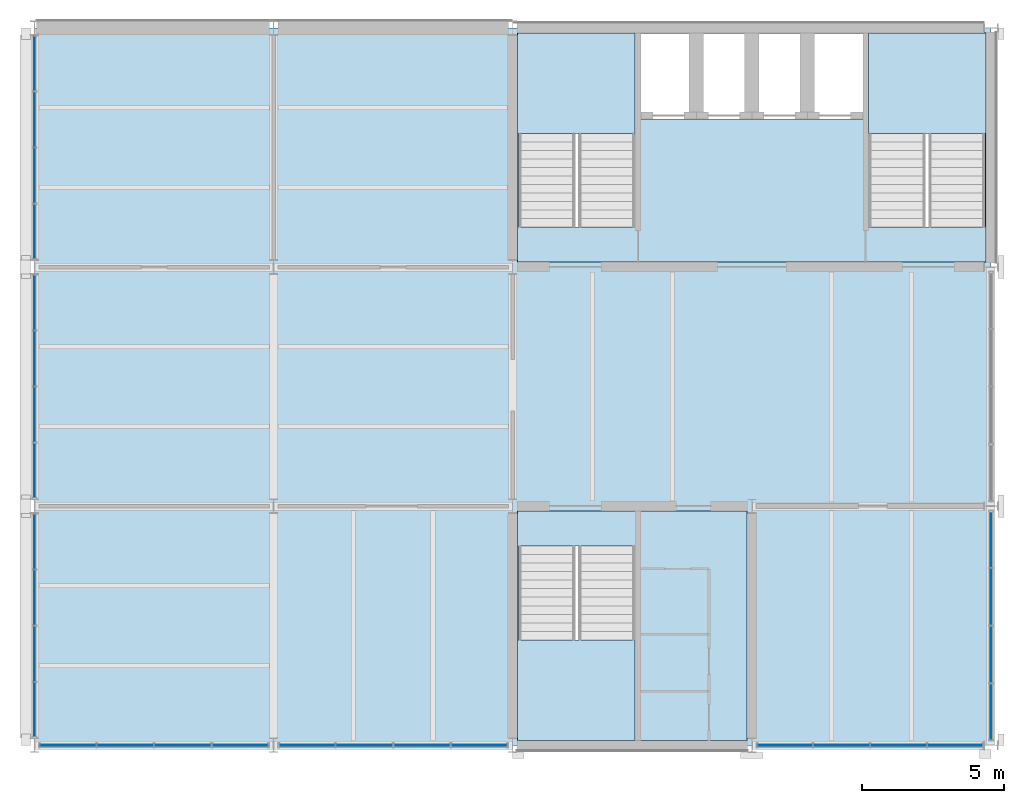
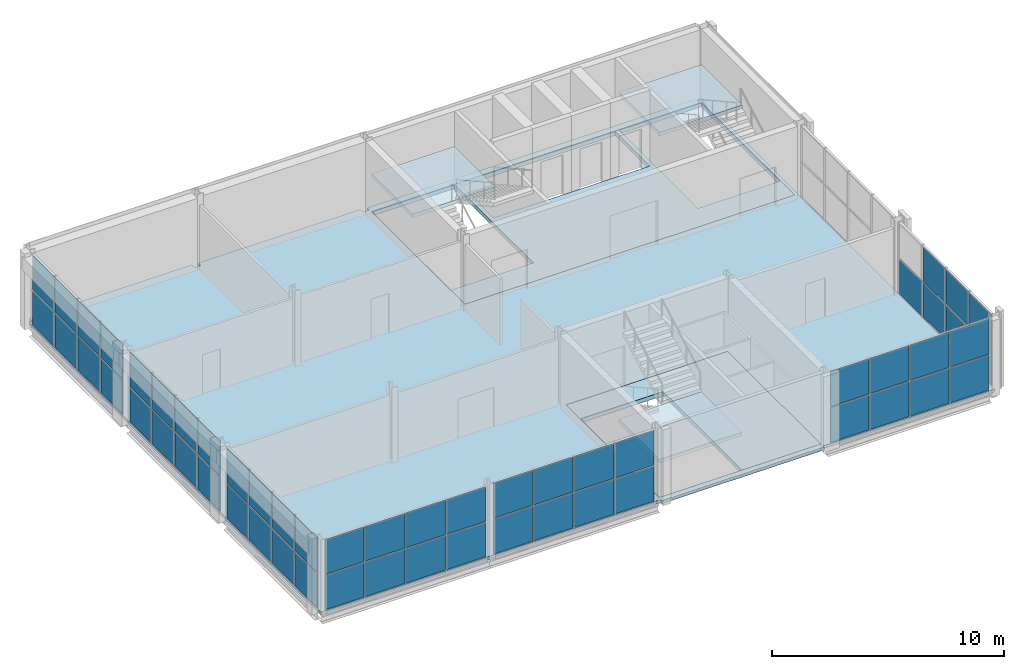
# One storey, part 7 of 12: 55 plates, 6 slabs, 10 elements without a shape of their own.
"""IFC4 building model written with IfcOpenShell, lengths in metres."""

from ifc_helpers import new_model, si_unit, direction, frame, origin, origin_2d, place, context, subcontext, project, spatial, polyline, rectangle, outline, extrude, material, layer, layer_set, type_object, element, aggregate, save


model = new_model("IFC4")

# Units and contexts
model_context = context("Model", 3, precision=1e-05, world=origin(), true_north=direction((0.0, 1.0)))
body_context = subcontext(model_context, "Body", "Model", "MODEL_VIEW")
ifc_project = project(units=[si_unit("LENGTHUNIT", "METRE"), si_unit("AREAUNIT", "SQUARE_METRE"), si_unit("VOLUMEUNIT", "CUBIC_METRE"), si_unit("PLANEANGLEUNIT", "RADIAN"), si_unit("MASSUNIT", "GRAM", prefix="KILO")], contexts=[model_context])

# Site, building, storey
site_placement = place(None, origin())
site = spatial("IfcSite", under=ifc_project, at=site_placement, CompositionType="ELEMENT")
building_placement = place(site_placement, origin())
building = spatial("IfcBuilding", under=site, at=building_placement, Name="Galleria Vessillo Department Store", CompositionType="ELEMENT")
storey_placement = place(building_placement, frame((0.0, 0.0, 43.60009765625)))
storey = spatial("IfcBuildingStorey", under=building, at=storey_placement, Name="L09", CompositionType="ELEMENT", Elevation=43.60009765625)

# Slab
ifc_material_1 = material(Name="Concrete C32/40 composite on steel deck", Category="concrete")
ifc_layer_1 = layer(ifc_material_1, 0.14990234375)
ifc_layer_set_1 = layer_set([ifc_layer_1], Name="Concrete C32/40 composite on steel deck")
slab_type_1 = type_object("IfcSlabType", Name="Composite floor slab 150 mm", PredefinedType="FLOOR", material=ifc_layer_set_1)
slab_1_placement = place(storey_placement, frame((0.0, 0.0, -0.14990234375)))
element("IfcSlab", 1, at=slab_1_placement, inside=storey, type_object=slab_type_1, Name="S-SLAB-L09-FLOOR", PredefinedType="FLOOR", context=body_context, shape_type="SweptSolid", body=[
    extrude(outline(polyline([(84.0, 37.800048828125), (84.0, 63.0), (84.150634765625, 63.0), (84.150634765625, 63.24951171875), (92.249267578125, 63.24951171875), (92.249267578125, 63.0), (92.550537109375, 63.0), (92.550537109375, 63.22509765625), (100.6494140625, 63.22509765625), (100.6494140625, 63.0), (100.95068359375, 63.0), (100.95068359375, 63.17431640625), (117.349609375, 63.17431640625), (117.349609375, 63.0), (117.60009765625, 63.0), (117.60009765625, 37.800048828125), (109.04931640625, 37.800048828125), (109.04931640625, 37.699951171875), (100.95068359375, 37.699951171875), (100.95068359375, 37.800048828125), (84.0, 37.800048828125)]), holes=[polyline([(109.02490234375, 37.97509765625), (109.02490234375, 46.02490234375), (100.97509765625, 46.02490234375), (100.97509765625, 37.97509765625), (109.02490234375, 37.97509765625)]), polyline([(117.425048828125, 54.775146484375), (117.425048828125, 62.824951171875), (100.97509765625, 62.824951171875), (100.97509765625, 54.775146484375), (117.425048828125, 54.775146484375)])]), origin(), (0.0, 0.0, 1.0), 0.14990234375),
])

# Curtain wall, plates
ifc_material_2 = material(Name="Aluminium and glass curtain wall", Category="aluminium")
ifc_layer_2 = layer(ifc_material_2, 0.159912109375)
ifc_layer_set_2 = layer_set([ifc_layer_2], Name="Aluminium and glass curtain wall")
curtain_wall_type = type_object("IfcCurtainWallType", Name="Tower curtain wall CW4 2100 module", PredefinedType="NOTDEFINED", material=ifc_layer_set_2)
curtain_wall_1_placement = place(storey_placement, origin())
curtain_wall_1 = element("IfcCurtainWall", 2, at=curtain_wall_1_placement, inside=storey, type_object=curtain_wall_type, Name="Tower curtain wall CW4 2100 module TW-L09-01", PredefinedType="NOTDEFINED")
ifc_material_3 = material(Name="Glass laminated 44.2 low-e", Category="glass")
ifc_layer_3 = layer(ifc_material_3, 0.028076171875)
ifc_layer_set_3 = layer_set([ifc_layer_3], Name="Glass laminated 44.2 low-e")
plate_type_1 = type_object("IfcPlateType", Name="Laminated glass panel 28 mm", PredefinedType="CURTAIN_PANEL", material=ifc_layer_set_3)
plate_1_placement = place(storey_placement, frame((84.0, 39.052490234375, 1.929931640625), z_axis=(0.0, 0.0, 1.0), x_axis=(0.0, 1.0, 0.0)))
plate_1 = element("IfcPlate", 3, at=plate_1_placement, type_object=plate_type_1, Name="CW4 panel 1.2", PredefinedType="CURTAIN_PANEL", context=body_context, shape_type="SweptSolid", body=[
    extrude(rectangle(XDim=1.885009765625, YDim=0.028076171875, at=origin_2d()), origin(), (0.0, 0.0, 1.0), 1.81005859375),
])
plate_2_placement = place(storey_placement, frame((84.0, 41.012451171875, 1.929931640625), z_axis=(0.0, 0.0, 1.0), x_axis=(0.0, 1.0, 0.0)))
plate_2 = element("IfcPlate", 4, at=plate_2_placement, type_object=plate_type_1, Name="CW4 panel 2.2", PredefinedType="CURTAIN_PANEL", context=body_context, shape_type="SweptSolid", body=[
    extrude(rectangle(XDim=1.9150390625, YDim=0.028076171875, at=origin_2d()), origin(), (0.0, 0.0, 1.0), 1.81005859375),
])
plate_3_placement = place(storey_placement, frame((84.0, 42.987548828125, 1.929931640625), z_axis=(0.0, 0.0, 1.0), x_axis=(0.0, 1.0, 0.0)))
plate_3 = element("IfcPlate", 5, at=plate_3_placement, type_object=plate_type_1, Name="CW4 panel 3.2", PredefinedType="CURTAIN_PANEL", context=body_context, shape_type="SweptSolid", body=[
    extrude(rectangle(XDim=1.9150390625, YDim=0.028076171875, at=origin_2d()), origin(), (0.0, 0.0, 1.0), 1.81005859375),
])
plate_4_placement = place(storey_placement, frame((84.0, 44.947509765625, 1.929931640625), z_axis=(0.0, 0.0, 1.0), x_axis=(0.0, 1.0, 0.0)))
plate_4 = element("IfcPlate", 6, at=plate_4_placement, type_object=plate_type_1, Name="CW4 panel 4.2", PredefinedType="CURTAIN_PANEL", context=body_context, shape_type="SweptSolid", body=[
    extrude(rectangle(XDim=1.885009765625, YDim=0.028076171875, at=origin_2d()), origin(), (0.0, 0.0, 1.0), 1.81005859375),
])

curtain_wall_2_placement = place(storey_placement, origin())
curtain_wall_2 = element("IfcCurtainWall", 7, at=curtain_wall_2_placement, inside=storey, type_object=curtain_wall_type, Name="Tower curtain wall CW4 2100 module TW-L09-02", PredefinedType="NOTDEFINED")
plate_5_placement = place(storey_placement, frame((84.0, 47.452392578125, 1.929931640625), z_axis=(0.0, 0.0, 1.0), x_axis=(0.0, 1.0, 0.0)))
plate_5 = element("IfcPlate", 8, at=plate_5_placement, type_object=plate_type_1, Name="CW4 panel 1.2", PredefinedType="CURTAIN_PANEL", context=body_context, shape_type="SweptSolid", body=[
    extrude(rectangle(XDim=1.885009765625, YDim=0.028076171875, at=origin_2d()), origin(), (0.0, 0.0, 1.0), 1.81005859375),
])
plate_6_placement = place(storey_placement, frame((84.0, 49.41259765625, 1.929931640625), z_axis=(0.0, 0.0, 1.0), x_axis=(0.0, 1.0, 0.0)))
plate_6 = element("IfcPlate", 9, at=plate_6_placement, type_object=plate_type_1, Name="CW4 panel 2.2", PredefinedType="CURTAIN_PANEL", context=body_context, shape_type="SweptSolid", body=[
    extrude(rectangle(XDim=1.9150390625, YDim=0.028076171875, at=origin_2d()), origin(), (0.0, 0.0, 1.0), 1.81005859375),
])
plate_7_placement = place(storey_placement, frame((84.0, 51.387451171875, 1.929931640625), z_axis=(0.0, 0.0, 1.0), x_axis=(0.0, 1.0, 0.0)))
plate_7 = element("IfcPlate", 10, at=plate_7_placement, type_object=plate_type_1, Name="CW4 panel 3.2", PredefinedType="CURTAIN_PANEL", context=body_context, shape_type="SweptSolid", body=[
    extrude(rectangle(XDim=1.9150390625, YDim=0.028076171875, at=origin_2d()), origin(), (0.0, 0.0, 1.0), 1.81005859375),
])
plate_8_placement = place(storey_placement, frame((84.0, 53.34765625, 1.929931640625), z_axis=(0.0, 0.0, 1.0), x_axis=(0.0, 1.0, 0.0)))
plate_8 = element("IfcPlate", 11, at=plate_8_placement, type_object=plate_type_1, Name="CW4 panel 4.2", PredefinedType="CURTAIN_PANEL", context=body_context, shape_type="SweptSolid", body=[
    extrude(rectangle(XDim=1.885009765625, YDim=0.028076171875, at=origin_2d()), origin(), (0.0, 0.0, 1.0), 1.81005859375),
])

curtain_wall_3_placement = place(storey_placement, origin())
curtain_wall_3 = element("IfcCurtainWall", 12, at=curtain_wall_3_placement, inside=storey, type_object=curtain_wall_type, Name="Tower curtain wall CW4 2100 module TW-L09-03", PredefinedType="NOTDEFINED")
plate_9_placement = place(storey_placement, frame((84.0, 55.8525390625, 1.929931640625), z_axis=(0.0, 0.0, 1.0), x_axis=(0.0, 1.0, 0.0)))
plate_9 = element("IfcPlate", 13, at=plate_9_placement, type_object=plate_type_1, Name="CW4 panel 1.2", PredefinedType="CURTAIN_PANEL", context=body_context, shape_type="SweptSolid", body=[
    extrude(rectangle(XDim=1.885009765625, YDim=0.028076171875, at=origin_2d()), origin(), (0.0, 0.0, 1.0), 1.81005859375),
])
plate_10_placement = place(storey_placement, frame((84.0, 57.8125, 1.929931640625), z_axis=(0.0, 0.0, 1.0), x_axis=(0.0, 1.0, 0.0)))
plate_10 = element("IfcPlate", 14, at=plate_10_placement, type_object=plate_type_1, Name="CW4 panel 2.2", PredefinedType="CURTAIN_PANEL", context=body_context, shape_type="SweptSolid", body=[
    extrude(rectangle(XDim=1.9150390625, YDim=0.028076171875, at=origin_2d()), origin(), (0.0, 0.0, 1.0), 1.81005859375),
])
plate_11_placement = place(storey_placement, frame((84.0, 59.78759765625, 1.929931640625), z_axis=(0.0, 0.0, 1.0), x_axis=(0.0, 1.0, 0.0)))
plate_11 = element("IfcPlate", 15, at=plate_11_placement, type_object=plate_type_1, Name="CW4 panel 3.2", PredefinedType="CURTAIN_PANEL", context=body_context, shape_type="SweptSolid", body=[
    extrude(rectangle(XDim=1.9150390625, YDim=0.028076171875, at=origin_2d()), origin(), (0.0, 0.0, 1.0), 1.81005859375),
])
plate_12_placement = place(storey_placement, frame((84.0, 61.74755859375, 1.929931640625), z_axis=(0.0, 0.0, 1.0), x_axis=(0.0, 1.0, 0.0)))
plate_12 = element("IfcPlate", 16, at=plate_12_placement, type_object=plate_type_1, Name="CW4 panel 4.2", PredefinedType="CURTAIN_PANEL", context=body_context, shape_type="SweptSolid", body=[
    extrude(rectangle(XDim=1.885009765625, YDim=0.028076171875, at=origin_2d()), origin(), (0.0, 0.0, 1.0), 1.81005859375),
])

curtain_wall_4_placement = place(storey_placement, origin())
curtain_wall_4 = element("IfcCurtainWall", 17, at=curtain_wall_4_placement, inside=storey, type_object=curtain_wall_type, Name="Tower curtain wall CW4 2100 module TS-L09-01", PredefinedType="NOTDEFINED")
plate_13_placement = place(storey_placement, frame((85.177490234375, 37.800048828125, 1.929931640625), z_axis=(0.0, 0.0, 1.0), x_axis=(1.0, 0.0, 0.0)))
plate_13 = element("IfcPlate", 18, at=plate_13_placement, type_object=plate_type_1, Name="CW4 panel 1.2", PredefinedType="CURTAIN_PANEL", context=body_context, shape_type="SweptSolid", body=[
    extrude(rectangle(XDim=1.93505859375, YDim=0.028076171875, at=origin_2d()), origin(), (0.0, 0.0, 1.0), 1.81005859375),
])
plate_14_placement = place(storey_placement, frame((87.1875, 37.800048828125, 1.929931640625), z_axis=(0.0, 0.0, 1.0), x_axis=(1.0, 0.0, 0.0)))
plate_14 = element("IfcPlate", 19, at=plate_14_placement, type_object=plate_type_1, Name="CW4 panel 2.2", PredefinedType="CURTAIN_PANEL", context=body_context, shape_type="SweptSolid", body=[
    extrude(rectangle(XDim=1.965087890625, YDim=0.028076171875, at=origin_2d()), origin(), (0.0, 0.0, 1.0), 1.81005859375),
])
plate_15_placement = place(storey_placement, frame((89.21240234375, 37.800048828125, 1.929931640625), z_axis=(0.0, 0.0, 1.0), x_axis=(1.0, 0.0, 0.0)))
plate_15 = element("IfcPlate", 20, at=plate_15_placement, type_object=plate_type_1, Name="CW4 panel 3.2", PredefinedType="CURTAIN_PANEL", context=body_context, shape_type="SweptSolid", body=[
    extrude(rectangle(XDim=1.965087890625, YDim=0.028076171875, at=origin_2d()), origin(), (0.0, 0.0, 1.0), 1.81005859375),
])
plate_16_placement = place(storey_placement, frame((91.222412109375, 37.800048828125, 1.929931640625), z_axis=(0.0, 0.0, 1.0), x_axis=(1.0, 0.0, 0.0)))
plate_16 = element("IfcPlate", 21, at=plate_16_placement, type_object=plate_type_1, Name="CW4 panel 4.2", PredefinedType="CURTAIN_PANEL", context=body_context, shape_type="SweptSolid", body=[
    extrude(rectangle(XDim=1.93505859375, YDim=0.028076171875, at=origin_2d()), origin(), (0.0, 0.0, 1.0), 1.81005859375),
])

curtain_wall_5_placement = place(storey_placement, origin())
curtain_wall_5 = element("IfcCurtainWall", 22, at=curtain_wall_5_placement, inside=storey, type_object=curtain_wall_type, Name="Tower curtain wall CW4 2100 module TS-L09-02", PredefinedType="NOTDEFINED")
plate_17_placement = place(storey_placement, frame((93.577392578125, 37.800048828125, 1.955078125), z_axis=(0.0, 0.0, 1.0), x_axis=(1.0, 0.0, 0.0)))
plate_17 = element("IfcPlate", 23, at=plate_17_placement, type_object=plate_type_1, Name="CW4 panel 1.2", PredefinedType="CURTAIN_PANEL", context=body_context, shape_type="SweptSolid", body=[
    extrude(rectangle(XDim=1.93505859375, YDim=0.028076171875, at=origin_2d()), origin(), (0.0, 0.0, 1.0), 1.835205078125),
])
plate_18_placement = place(storey_placement, frame((95.58740234375, 37.800048828125, 1.955078125), z_axis=(0.0, 0.0, 1.0), x_axis=(1.0, 0.0, 0.0)))
plate_18 = element("IfcPlate", 24, at=plate_18_placement, type_object=plate_type_1, Name="CW4 panel 2.2", PredefinedType="CURTAIN_PANEL", context=body_context, shape_type="SweptSolid", body=[
    extrude(rectangle(XDim=1.965087890625, YDim=0.028076171875, at=origin_2d()), origin(), (0.0, 0.0, 1.0), 1.835205078125),
])
plate_19_placement = place(storey_placement, frame((97.612548828125, 37.800048828125, 1.955078125), z_axis=(0.0, 0.0, 1.0), x_axis=(1.0, 0.0, 0.0)))
plate_19 = element("IfcPlate", 25, at=plate_19_placement, type_object=plate_type_1, Name="CW4 panel 3.2", PredefinedType="CURTAIN_PANEL", context=body_context, shape_type="SweptSolid", body=[
    extrude(rectangle(XDim=1.965087890625, YDim=0.028076171875, at=origin_2d()), origin(), (0.0, 0.0, 1.0), 1.835205078125),
])
plate_20_placement = place(storey_placement, frame((99.62255859375, 37.800048828125, 1.955078125), z_axis=(0.0, 0.0, 1.0), x_axis=(1.0, 0.0, 0.0)))
plate_20 = element("IfcPlate", 26, at=plate_20_placement, type_object=plate_type_1, Name="CW4 panel 4.2", PredefinedType="CURTAIN_PANEL", context=body_context, shape_type="SweptSolid", body=[
    extrude(rectangle(XDim=1.93505859375, YDim=0.028076171875, at=origin_2d()), origin(), (0.0, 0.0, 1.0), 1.835205078125),
])

curtain_wall_6_placement = place(storey_placement, origin())
curtain_wall_6 = element("IfcCurtainWall", 27, at=curtain_wall_6_placement, inside=storey, type_object=curtain_wall_type, Name="Tower curtain wall CW4 2100 module TS-L09-03", PredefinedType="NOTDEFINED")
plate_21_placement = place(storey_placement, frame((110.364990234375, 37.800048828125, 1.955078125), z_axis=(0.0, 0.0, 1.0), x_axis=(1.0, 0.0, 0.0)))
plate_21 = element("IfcPlate", 28, at=plate_21_placement, type_object=plate_type_1, Name="CW4 panel 1.2", PredefinedType="CURTAIN_PANEL", context=body_context, shape_type="SweptSolid", body=[
    extrude(rectangle(XDim=1.91015625, YDim=0.028076171875, at=origin_2d()), origin(), (0.0, 0.0, 1.0), 1.835205078125),
])
plate_22_placement = place(storey_placement, frame((112.349853515625, 37.800048828125, 1.955078125), z_axis=(0.0, 0.0, 1.0), x_axis=(1.0, 0.0, 0.0)))
plate_22 = element("IfcPlate", 29, at=plate_22_placement, type_object=plate_type_1, Name="CW4 panel 2.2", PredefinedType="CURTAIN_PANEL", context=body_context, shape_type="SweptSolid", body=[
    extrude(rectangle(XDim=1.93994140625, YDim=0.028076171875, at=origin_2d()), origin(), (0.0, 0.0, 1.0), 1.835205078125),
])
plate_23_placement = place(storey_placement, frame((114.35009765625, 37.800048828125, 1.955078125), z_axis=(0.0, 0.0, 1.0), x_axis=(1.0, 0.0, 0.0)))
plate_23 = element("IfcPlate", 30, at=plate_23_placement, type_object=plate_type_1, Name="CW4 panel 3.2", PredefinedType="CURTAIN_PANEL", context=body_context, shape_type="SweptSolid", body=[
    extrude(rectangle(XDim=1.93994140625, YDim=0.028076171875, at=origin_2d()), origin(), (0.0, 0.0, 1.0), 1.835205078125),
])
plate_24_placement = place(storey_placement, frame((116.3349609375, 37.800048828125, 1.955078125), z_axis=(0.0, 0.0, 1.0), x_axis=(1.0, 0.0, 0.0)))
plate_24 = element("IfcPlate", 31, at=plate_24_placement, type_object=plate_type_1, Name="CW4 panel 4.2", PredefinedType="CURTAIN_PANEL", context=body_context, shape_type="SweptSolid", body=[
    extrude(rectangle(XDim=1.91015625, YDim=0.028076171875, at=origin_2d()), origin(), (0.0, 0.0, 1.0), 1.835205078125),
])

curtain_wall_7_placement = place(storey_placement, origin())
curtain_wall_7 = element("IfcCurtainWall", 32, at=curtain_wall_7_placement, inside=storey, type_object=curtain_wall_type, Name="Tower curtain wall CW4 2100 module TE-L09-01", PredefinedType="NOTDEFINED")
plate_25_placement = place(storey_placement, frame((117.60009765625, 38.9775390625, 1.955078125), z_axis=(0.0, 0.0, 1.0), x_axis=(0.0, 1.0, 0.0)))
plate_25 = element("IfcPlate", 33, at=plate_25_placement, type_object=plate_type_1, Name="CW4 panel 1.2", PredefinedType="CURTAIN_PANEL", context=body_context, shape_type="SweptSolid", body=[
    extrude(rectangle(XDim=1.93505859375, YDim=0.028076171875, at=origin_2d()), origin(), (0.0, 0.0, 1.0), 1.835205078125),
])
plate_26_placement = place(storey_placement, frame((117.60009765625, 40.987548828125, 1.955078125), z_axis=(0.0, 0.0, 1.0), x_axis=(0.0, 1.0, 0.0)))
plate_26 = element("IfcPlate", 34, at=plate_26_placement, type_object=plate_type_1, Name="CW4 panel 2.2", PredefinedType="CURTAIN_PANEL", context=body_context, shape_type="SweptSolid", body=[
    extrude(rectangle(XDim=1.965087890625, YDim=0.028076171875, at=origin_2d()), origin(), (0.0, 0.0, 1.0), 1.835205078125),
])
plate_27_placement = place(storey_placement, frame((117.60009765625, 43.012451171875, 1.955078125), z_axis=(0.0, 0.0, 1.0), x_axis=(0.0, 1.0, 0.0)))
plate_27 = element("IfcPlate", 35, at=plate_27_placement, type_object=plate_type_1, Name="CW4 panel 3.2", PredefinedType="CURTAIN_PANEL", context=body_context, shape_type="SweptSolid", body=[
    extrude(rectangle(XDim=1.965087890625, YDim=0.028076171875, at=origin_2d()), origin(), (0.0, 0.0, 1.0), 1.835205078125),
])

# Slabs
ifc_material_4 = material(Name="Concrete C32/40 reinforced", Category="concrete")
ifc_layer_4 = layer(ifc_material_4, 0.219970703125)
ifc_layer_set_4 = layer_set([ifc_layer_4], Name="Concrete C32/40 reinforced")
slab_type_2 = type_object("IfcSlabType", Name="Reinforced concrete core floor slab 220 mm", PredefinedType="FLOOR", material=ifc_layer_set_4)
slab_2_placement = place(storey_placement, frame((0.0, 0.0, -0.219970703125)))
element("IfcSlab", 36, at=slab_2_placement, inside=storey, type_object=slab_type_2, Name="S-SLAB-L09-CORE-TC", PredefinedType="FLOOR", context=body_context, shape_type="SweptSolid", body=[
    extrude(outline(polyline([(100.97509765625, 54.775146484375), (100.97509765625, 62.824951171875), (117.425048828125, 62.824951171875), (117.425048828125, 54.775146484375), (100.97509765625, 54.775146484375)]), holes=[polyline([(105.10009765625, 56.0), (105.10009765625, 62.800048828125), (101.0, 62.800048828125), (101.0, 56.0), (105.10009765625, 56.0)]), polyline([(113.300048828125, 56.0), (117.39990234375, 56.0), (117.39990234375, 62.800048828125), (113.300048828125, 62.800048828125), (113.300048828125, 56.0)]), polyline([(105.300048828125, 59.800048828125), (113.10009765625, 59.800048828125), (113.10009765625, 62.800048828125), (105.300048828125, 62.800048828125), (105.300048828125, 59.800048828125)])]), origin(), (0.0, 0.0, 1.0), 0.219970703125),
])
slab_3_placement = place(storey_placement, frame((0.0, 0.0, -0.219970703125)))
element("IfcSlab", 37, at=slab_3_placement, inside=storey, type_object=slab_type_2, Name="S-SLAB-L09-CORE-TS", PredefinedType="FLOOR", context=body_context, shape_type="SweptSolid", body=[
    extrude(outline(polyline([(100.97509765625, 37.97509765625), (100.97509765625, 46.02490234375), (109.02490234375, 46.02490234375), (109.02490234375, 37.97509765625), (100.97509765625, 37.97509765625)]), holes=[polyline([(105.10009765625, 44.800048828125), (101.0, 44.800048828125), (101.0, 38.0), (105.10009765625, 38.0), (105.10009765625, 44.800048828125)])]), origin(), (0.0, 0.0, 1.0), 0.219970703125),
])

# Stair, slab
ifc_material_5 = material(Name="Concrete C32/40", Category="concrete")
stair_type = type_object("IfcStairType", Name="Half-turn escape stair 2000 mm, 24 risers of 167 mm", PredefinedType="HALF_TURN_STAIR", material=ifc_material_5)
stair_1_placement = place(storey_placement, origin())
stair_1 = element("IfcStair", 38, at=stair_1_placement, inside=storey, type_object=stair_type, Name="Stair ST8 L09", PredefinedType="HALF_TURN_STAIR")
ifc_material_6 = material(Name="Concrete C32/40", Category="concrete")
ifc_layer_5 = layer(ifc_material_6, 0.199951171875)
ifc_layer_set_5 = layer_set([ifc_layer_5], Name="Concrete C32/40")
slab_type_3 = type_object("IfcSlabType", Name="Stair half landing 4125 x 3525 mm", PredefinedType="LANDING", material=ifc_layer_set_5)
slab_4_placement = place(storey_placement, frame((0.0, 0.0, 1.800048828125)))
slab_4 = element("IfcSlab", 39, at=slab_4_placement, type_object=slab_type_3, Name="ST8 landing 1", PredefinedType="LANDING", context=body_context, shape_type="SweptSolid", body=[
    extrude(outline(polyline([(100.97509765625, 59.300048828125), (100.97509765625, 62.824951171875), (105.10009765625, 62.824951171875), (105.10009765625, 59.300048828125), (100.97509765625, 59.300048828125)])), origin(), (0.0, 0.0, 1.0), 0.199951171875),
])
aggregate(stair_1, [slab_4])

stair_2_placement = place(storey_placement, origin())
stair_2 = element("IfcStair", 40, at=stair_2_placement, inside=storey, type_object=stair_type, Name="Stair ST9 L09", PredefinedType="HALF_TURN_STAIR")
slab_5_placement = place(storey_placement, frame((0.0, 0.0, 1.800048828125)))
slab_5 = element("IfcSlab", 41, at=slab_5_placement, type_object=slab_type_3, Name="ST9 landing 1", PredefinedType="LANDING", context=body_context, shape_type="SweptSolid", body=[
    extrude(outline(polyline([(113.300048828125, 59.300048828125), (113.300048828125, 62.824951171875), (117.425048828125, 62.824951171875), (117.425048828125, 59.300048828125), (113.300048828125, 59.300048828125)])), origin(), (0.0, 0.0, 1.0), 0.199951171875),
])
aggregate(stair_2, [slab_5])

stair_3_placement = place(storey_placement, origin())
stair_3 = element("IfcStair", 42, at=stair_3_placement, inside=storey, type_object=stair_type, Name="Stair ST12 L09", PredefinedType="HALF_TURN_STAIR")
slab_6_placement = place(storey_placement, frame((0.0, 0.0, 1.800048828125)))
slab_6 = element("IfcSlab", 43, at=slab_6_placement, type_object=slab_type_3, Name="ST12 landing 1", PredefinedType="LANDING", context=body_context, shape_type="SweptSolid", body=[
    extrude(outline(polyline([(100.97509765625, 37.97509765625), (100.97509765625, 41.5), (105.10009765625, 41.5), (105.10009765625, 37.97509765625), (100.97509765625, 37.97509765625)])), origin(), (0.0, 0.0, 1.0), 0.199951171875),
])
aggregate(stair_3, [slab_6])

# Plate
ifc_material_7 = material(Name="Limestone spandrel on aluminium tray", Category="masonry")
ifc_layer_6 = layer(ifc_material_7, 0.028076171875)
ifc_layer_set_6 = layer_set([ifc_layer_6], Name="Limestone spandrel on aluminium tray")
plate_type_2 = type_object("IfcPlateType", Name="Stone spandrel panel 28 mm", PredefinedType="CURTAIN_PANEL", material=ifc_layer_set_6)
plate_28_placement = place(storey_placement, frame((84.0, 39.052490234375, 0.06005859375), z_axis=(0.0, 0.0, 1.0), x_axis=(0.0, 1.0, 0.0)))
plate_28 = element("IfcPlate", 44, at=plate_28_placement, type_object=plate_type_2, Name="CW4 panel 1.1", PredefinedType="CURTAIN_PANEL", context=body_context, shape_type="SweptSolid", body=[
    extrude(rectangle(XDim=1.885009765625, YDim=0.028076171875, at=origin_2d()), origin(), (0.0, 0.0, 1.0), 1.81005859375),
])

plate_29_placement = place(storey_placement, frame((84.0, 41.012451171875, 0.06005859375), z_axis=(0.0, 0.0, 1.0), x_axis=(0.0, 1.0, 0.0)))
plate_29 = element("IfcPlate", 45, at=plate_29_placement, type_object=plate_type_2, Name="CW4 panel 2.1", PredefinedType="CURTAIN_PANEL", context=body_context, shape_type="SweptSolid", body=[
    extrude(rectangle(XDim=1.9150390625, YDim=0.028076171875, at=origin_2d()), origin(), (0.0, 0.0, 1.0), 1.81005859375),
])

plate_30_placement = place(storey_placement, frame((84.0, 42.987548828125, 0.06005859375), z_axis=(0.0, 0.0, 1.0), x_axis=(0.0, 1.0, 0.0)))
plate_30 = element("IfcPlate", 46, at=plate_30_placement, type_object=plate_type_2, Name="CW4 panel 3.1", PredefinedType="CURTAIN_PANEL", context=body_context, shape_type="SweptSolid", body=[
    extrude(rectangle(XDim=1.9150390625, YDim=0.028076171875, at=origin_2d()), origin(), (0.0, 0.0, 1.0), 1.81005859375),
])

plate_31_placement = place(storey_placement, frame((84.0, 44.947509765625, 0.06005859375), z_axis=(0.0, 0.0, 1.0), x_axis=(0.0, 1.0, 0.0)))
plate_31 = element("IfcPlate", 47, at=plate_31_placement, type_object=plate_type_2, Name="CW4 panel 4.1", PredefinedType="CURTAIN_PANEL", context=body_context, shape_type="SweptSolid", body=[
    extrude(rectangle(XDim=1.885009765625, YDim=0.028076171875, at=origin_2d()), origin(), (0.0, 0.0, 1.0), 1.81005859375),
])

aggregate(curtain_wall_1, [plate_28, plate_1, plate_29, plate_2, plate_30, plate_3, plate_31, plate_4])

plate_32_placement = place(storey_placement, frame((84.0, 47.452392578125, 0.06005859375), z_axis=(0.0, 0.0, 1.0), x_axis=(0.0, 1.0, 0.0)))
plate_32 = element("IfcPlate", 48, at=plate_32_placement, type_object=plate_type_2, Name="CW4 panel 1.1", PredefinedType="CURTAIN_PANEL", context=body_context, shape_type="SweptSolid", body=[
    extrude(rectangle(XDim=1.885009765625, YDim=0.028076171875, at=origin_2d()), origin(), (0.0, 0.0, 1.0), 1.81005859375),
])

plate_33_placement = place(storey_placement, frame((84.0, 49.41259765625, 0.06005859375), z_axis=(0.0, 0.0, 1.0), x_axis=(0.0, 1.0, 0.0)))
plate_33 = element("IfcPlate", 49, at=plate_33_placement, type_object=plate_type_2, Name="CW4 panel 2.1", PredefinedType="CURTAIN_PANEL", context=body_context, shape_type="SweptSolid", body=[
    extrude(rectangle(XDim=1.9150390625, YDim=0.028076171875, at=origin_2d()), origin(), (0.0, 0.0, 1.0), 1.81005859375),
])

plate_34_placement = place(storey_placement, frame((84.0, 51.387451171875, 0.06005859375), z_axis=(0.0, 0.0, 1.0), x_axis=(0.0, 1.0, 0.0)))
plate_34 = element("IfcPlate", 50, at=plate_34_placement, type_object=plate_type_2, Name="CW4 panel 3.1", PredefinedType="CURTAIN_PANEL", context=body_context, shape_type="SweptSolid", body=[
    extrude(rectangle(XDim=1.9150390625, YDim=0.028076171875, at=origin_2d()), origin(), (0.0, 0.0, 1.0), 1.81005859375),
])

plate_35_placement = place(storey_placement, frame((84.0, 53.34765625, 0.06005859375), z_axis=(0.0, 0.0, 1.0), x_axis=(0.0, 1.0, 0.0)))
plate_35 = element("IfcPlate", 51, at=plate_35_placement, type_object=plate_type_2, Name="CW4 panel 4.1", PredefinedType="CURTAIN_PANEL", context=body_context, shape_type="SweptSolid", body=[
    extrude(rectangle(XDim=1.885009765625, YDim=0.028076171875, at=origin_2d()), origin(), (0.0, 0.0, 1.0), 1.81005859375),
])

aggregate(curtain_wall_2, [plate_32, plate_5, plate_33, plate_6, plate_34, plate_7, plate_35, plate_8])

plate_36_placement = place(storey_placement, frame((84.0, 55.8525390625, 0.06005859375), z_axis=(0.0, 0.0, 1.0), x_axis=(0.0, 1.0, 0.0)))
plate_36 = element("IfcPlate", 52, at=plate_36_placement, type_object=plate_type_2, Name="CW4 panel 1.1", PredefinedType="CURTAIN_PANEL", context=body_context, shape_type="SweptSolid", body=[
    extrude(rectangle(XDim=1.885009765625, YDim=0.028076171875, at=origin_2d()), origin(), (0.0, 0.0, 1.0), 1.81005859375),
])

plate_37_placement = place(storey_placement, frame((84.0, 57.8125, 0.06005859375), z_axis=(0.0, 0.0, 1.0), x_axis=(0.0, 1.0, 0.0)))
plate_37 = element("IfcPlate", 53, at=plate_37_placement, type_object=plate_type_2, Name="CW4 panel 2.1", PredefinedType="CURTAIN_PANEL", context=body_context, shape_type="SweptSolid", body=[
    extrude(rectangle(XDim=1.9150390625, YDim=0.028076171875, at=origin_2d()), origin(), (0.0, 0.0, 1.0), 1.81005859375),
])

plate_38_placement = place(storey_placement, frame((84.0, 59.78759765625, 0.06005859375), z_axis=(0.0, 0.0, 1.0), x_axis=(0.0, 1.0, 0.0)))
plate_38 = element("IfcPlate", 54, at=plate_38_placement, type_object=plate_type_2, Name="CW4 panel 3.1", PredefinedType="CURTAIN_PANEL", context=body_context, shape_type="SweptSolid", body=[
    extrude(rectangle(XDim=1.9150390625, YDim=0.028076171875, at=origin_2d()), origin(), (0.0, 0.0, 1.0), 1.81005859375),
])

plate_39_placement = place(storey_placement, frame((84.0, 61.74755859375, 0.06005859375), z_axis=(0.0, 0.0, 1.0), x_axis=(0.0, 1.0, 0.0)))
plate_39 = element("IfcPlate", 55, at=plate_39_placement, type_object=plate_type_2, Name="CW4 panel 4.1", PredefinedType="CURTAIN_PANEL", context=body_context, shape_type="SweptSolid", body=[
    extrude(rectangle(XDim=1.885009765625, YDim=0.028076171875, at=origin_2d()), origin(), (0.0, 0.0, 1.0), 1.81005859375),
])

aggregate(curtain_wall_3, [plate_36, plate_9, plate_37, plate_10, plate_38, plate_11, plate_39, plate_12])

plate_40_placement = place(storey_placement, frame((85.177490234375, 37.800048828125, 0.06005859375), z_axis=(0.0, 0.0, 1.0), x_axis=(1.0, 0.0, 0.0)))
plate_40 = element("IfcPlate", 56, at=plate_40_placement, type_object=plate_type_2, Name="CW4 panel 1.1", PredefinedType="CURTAIN_PANEL", context=body_context, shape_type="SweptSolid", body=[
    extrude(rectangle(XDim=1.93505859375, YDim=0.028076171875, at=origin_2d()), origin(), (0.0, 0.0, 1.0), 1.81005859375),
])

plate_41_placement = place(storey_placement, frame((87.1875, 37.800048828125, 0.06005859375), z_axis=(0.0, 0.0, 1.0), x_axis=(1.0, 0.0, 0.0)))
plate_41 = element("IfcPlate", 57, at=plate_41_placement, type_object=plate_type_2, Name="CW4 panel 2.1", PredefinedType="CURTAIN_PANEL", context=body_context, shape_type="SweptSolid", body=[
    extrude(rectangle(XDim=1.965087890625, YDim=0.028076171875, at=origin_2d()), origin(), (0.0, 0.0, 1.0), 1.81005859375),
])

plate_42_placement = place(storey_placement, frame((89.21240234375, 37.800048828125, 0.06005859375), z_axis=(0.0, 0.0, 1.0), x_axis=(1.0, 0.0, 0.0)))
plate_42 = element("IfcPlate", 58, at=plate_42_placement, type_object=plate_type_2, Name="CW4 panel 3.1", PredefinedType="CURTAIN_PANEL", context=body_context, shape_type="SweptSolid", body=[
    extrude(rectangle(XDim=1.965087890625, YDim=0.028076171875, at=origin_2d()), origin(), (0.0, 0.0, 1.0), 1.81005859375),
])

plate_43_placement = place(storey_placement, frame((91.222412109375, 37.800048828125, 0.06005859375), z_axis=(0.0, 0.0, 1.0), x_axis=(1.0, 0.0, 0.0)))
plate_43 = element("IfcPlate", 59, at=plate_43_placement, type_object=plate_type_2, Name="CW4 panel 4.1", PredefinedType="CURTAIN_PANEL", context=body_context, shape_type="SweptSolid", body=[
    extrude(rectangle(XDim=1.93505859375, YDim=0.028076171875, at=origin_2d()), origin(), (0.0, 0.0, 1.0), 1.81005859375),
])

aggregate(curtain_wall_4, [plate_40, plate_13, plate_41, plate_14, plate_42, plate_15, plate_43, plate_16])

plate_44_placement = place(storey_placement, frame((93.577392578125, 37.800048828125, 0.06005859375), z_axis=(0.0, 0.0, 1.0), x_axis=(1.0, 0.0, 0.0)))
plate_44 = element("IfcPlate", 60, at=plate_44_placement, type_object=plate_type_2, Name="CW4 panel 1.1", PredefinedType="CURTAIN_PANEL", context=body_context, shape_type="SweptSolid", body=[
    extrude(rectangle(XDim=1.93505859375, YDim=0.028076171875, at=origin_2d()), origin(), (0.0, 0.0, 1.0), 1.8349609375),
])

plate_45_placement = place(storey_placement, frame((95.58740234375, 37.800048828125, 0.06005859375), z_axis=(0.0, 0.0, 1.0), x_axis=(1.0, 0.0, 0.0)))
plate_45 = element("IfcPlate", 61, at=plate_45_placement, type_object=plate_type_2, Name="CW4 panel 2.1", PredefinedType="CURTAIN_PANEL", context=body_context, shape_type="SweptSolid", body=[
    extrude(rectangle(XDim=1.965087890625, YDim=0.028076171875, at=origin_2d()), origin(), (0.0, 0.0, 1.0), 1.8349609375),
])

plate_46_placement = place(storey_placement, frame((97.612548828125, 37.800048828125, 0.06005859375), z_axis=(0.0, 0.0, 1.0), x_axis=(1.0, 0.0, 0.0)))
plate_46 = element("IfcPlate", 62, at=plate_46_placement, type_object=plate_type_2, Name="CW4 panel 3.1", PredefinedType="CURTAIN_PANEL", context=body_context, shape_type="SweptSolid", body=[
    extrude(rectangle(XDim=1.965087890625, YDim=0.028076171875, at=origin_2d()), origin(), (0.0, 0.0, 1.0), 1.8349609375),
])

plate_47_placement = place(storey_placement, frame((99.62255859375, 37.800048828125, 0.06005859375), z_axis=(0.0, 0.0, 1.0), x_axis=(1.0, 0.0, 0.0)))
plate_47 = element("IfcPlate", 63, at=plate_47_placement, type_object=plate_type_2, Name="CW4 panel 4.1", PredefinedType="CURTAIN_PANEL", context=body_context, shape_type="SweptSolid", body=[
    extrude(rectangle(XDim=1.93505859375, YDim=0.028076171875, at=origin_2d()), origin(), (0.0, 0.0, 1.0), 1.8349609375),
])

aggregate(curtain_wall_5, [plate_44, plate_17, plate_45, plate_18, plate_46, plate_19, plate_47, plate_20])

plate_48_placement = place(storey_placement, frame((110.364990234375, 37.800048828125, 0.06005859375), z_axis=(0.0, 0.0, 1.0), x_axis=(1.0, 0.0, 0.0)))
plate_48 = element("IfcPlate", 64, at=plate_48_placement, type_object=plate_type_2, Name="CW4 panel 1.1", PredefinedType="CURTAIN_PANEL", context=body_context, shape_type="SweptSolid", body=[
    extrude(rectangle(XDim=1.91015625, YDim=0.028076171875, at=origin_2d()), origin(), (0.0, 0.0, 1.0), 1.8349609375),
])

plate_49_placement = place(storey_placement, frame((112.349853515625, 37.800048828125, 0.06005859375), z_axis=(0.0, 0.0, 1.0), x_axis=(1.0, 0.0, 0.0)))
plate_49 = element("IfcPlate", 65, at=plate_49_placement, type_object=plate_type_2, Name="CW4 panel 2.1", PredefinedType="CURTAIN_PANEL", context=body_context, shape_type="SweptSolid", body=[
    extrude(rectangle(XDim=1.93994140625, YDim=0.028076171875, at=origin_2d()), origin(), (0.0, 0.0, 1.0), 1.8349609375),
])

plate_50_placement = place(storey_placement, frame((114.35009765625, 37.800048828125, 0.06005859375), z_axis=(0.0, 0.0, 1.0), x_axis=(1.0, 0.0, 0.0)))
plate_50 = element("IfcPlate", 66, at=plate_50_placement, type_object=plate_type_2, Name="CW4 panel 3.1", PredefinedType="CURTAIN_PANEL", context=body_context, shape_type="SweptSolid", body=[
    extrude(rectangle(XDim=1.93994140625, YDim=0.028076171875, at=origin_2d()), origin(), (0.0, 0.0, 1.0), 1.8349609375),
])

plate_51_placement = place(storey_placement, frame((116.3349609375, 37.800048828125, 0.06005859375), z_axis=(0.0, 0.0, 1.0), x_axis=(1.0, 0.0, 0.0)))
plate_51 = element("IfcPlate", 67, at=plate_51_placement, type_object=plate_type_2, Name="CW4 panel 4.1", PredefinedType="CURTAIN_PANEL", context=body_context, shape_type="SweptSolid", body=[
    extrude(rectangle(XDim=1.91015625, YDim=0.028076171875, at=origin_2d()), origin(), (0.0, 0.0, 1.0), 1.8349609375),
])

aggregate(curtain_wall_6, [plate_48, plate_21, plate_49, plate_22, plate_50, plate_23, plate_51, plate_24])

plate_52_placement = place(storey_placement, frame((117.60009765625, 38.9775390625, 0.06005859375), z_axis=(0.0, 0.0, 1.0), x_axis=(0.0, 1.0, 0.0)))
plate_52 = element("IfcPlate", 68, at=plate_52_placement, type_object=plate_type_2, Name="CW4 panel 1.1", PredefinedType="CURTAIN_PANEL", context=body_context, shape_type="SweptSolid", body=[
    extrude(rectangle(XDim=1.93505859375, YDim=0.028076171875, at=origin_2d()), origin(), (0.0, 0.0, 1.0), 1.8349609375),
])

plate_53_placement = place(storey_placement, frame((117.60009765625, 40.987548828125, 0.06005859375), z_axis=(0.0, 0.0, 1.0), x_axis=(0.0, 1.0, 0.0)))
plate_53 = element("IfcPlate", 69, at=plate_53_placement, type_object=plate_type_2, Name="CW4 panel 2.1", PredefinedType="CURTAIN_PANEL", context=body_context, shape_type="SweptSolid", body=[
    extrude(rectangle(XDim=1.965087890625, YDim=0.028076171875, at=origin_2d()), origin(), (0.0, 0.0, 1.0), 1.8349609375),
])

plate_54_placement = place(storey_placement, frame((117.60009765625, 43.012451171875, 0.06005859375), z_axis=(0.0, 0.0, 1.0), x_axis=(0.0, 1.0, 0.0)))
plate_54 = element("IfcPlate", 70, at=plate_54_placement, type_object=plate_type_2, Name="CW4 panel 3.1", PredefinedType="CURTAIN_PANEL", context=body_context, shape_type="SweptSolid", body=[
    extrude(rectangle(XDim=1.965087890625, YDim=0.028076171875, at=origin_2d()), origin(), (0.0, 0.0, 1.0), 1.8349609375),
])

plate_55_placement = place(storey_placement, frame((117.60009765625, 45.0224609375, 0.06005859375), z_axis=(0.0, 0.0, 1.0), x_axis=(0.0, 1.0, 0.0)))
plate_55 = element("IfcPlate", 71, at=plate_55_placement, type_object=plate_type_2, Name="CW4 panel 4.1", PredefinedType="CURTAIN_PANEL", context=body_context, shape_type="SweptSolid", body=[
    extrude(rectangle(XDim=1.93505859375, YDim=0.028076171875, at=origin_2d()), origin(), (0.0, 0.0, 1.0), 1.8349609375),
])

aggregate(curtain_wall_7, [plate_52, plate_25, plate_53, plate_26, plate_54, plate_27, plate_55])

save(model, "model.ifc")
